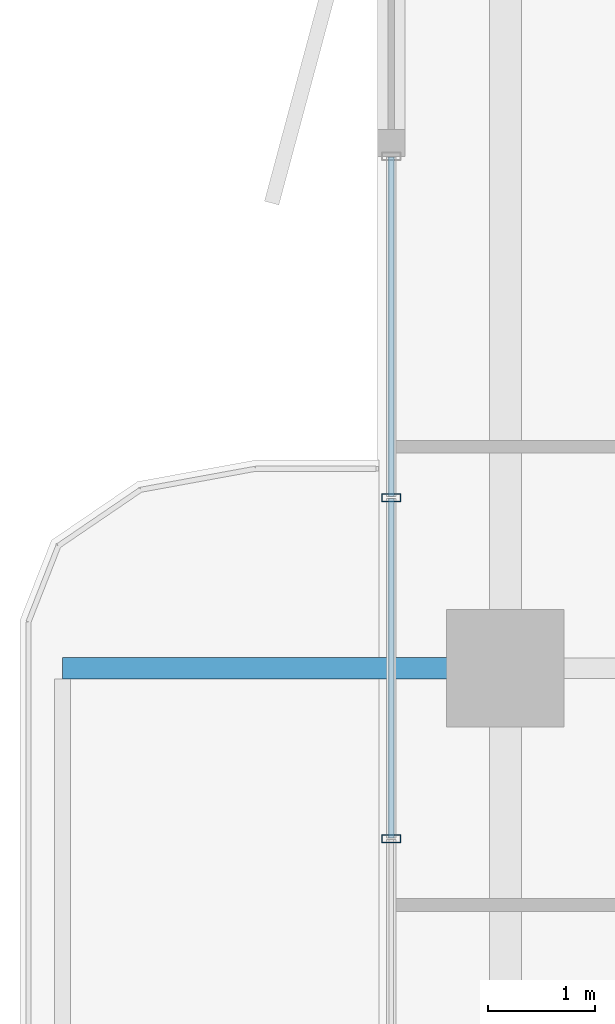
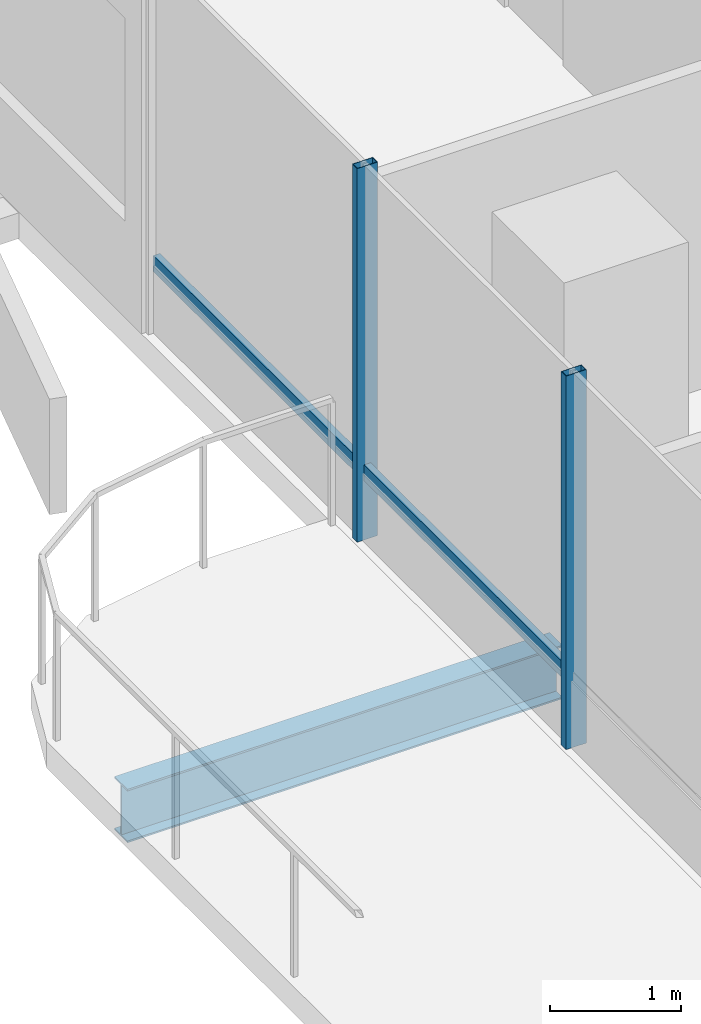
# One storey, part 6 of 25: 4 members, 1 beam, 1 element without a shape of its own.
"""IFC4 building model written with IfcOpenShell, lengths in metres."""

from ifc_helpers import new_model, si_unit, direction, frame, origin, origin_2d, place, context, subcontext, project, spatial, hollow_rectangle, i_section, extrude, material, layer, layer_set, material_profile, profile_set, type_object, element, aggregate, save


model = new_model("IFC4")

# Units and contexts
model_context = context("Model", 3, precision=1e-05, world=origin(), true_north=direction((0.0, 1.0)))
body_context = subcontext(model_context, "Body", "Model", "MODEL_VIEW")
ifc_project = project(units=[si_unit("LENGTHUNIT", "METRE"), si_unit("AREAUNIT", "SQUARE_METRE"), si_unit("VOLUMEUNIT", "CUBIC_METRE"), si_unit("PLANEANGLEUNIT", "RADIAN"), si_unit("MASSUNIT", "GRAM", prefix="KILO")], contexts=[model_context])

# Site, building, storey
site_placement = place(None, origin())
site = spatial("IfcSite", under=ifc_project, at=site_placement, CompositionType="ELEMENT")
building_placement = place(site_placement, origin())
building = spatial("IfcBuilding", under=site, at=building_placement, Name="Belovzor Exchange Tower", CompositionType="ELEMENT")
storey_placement = place(building_placement, frame((0.0, 0.0, 153.300048828125)))
storey = spatial("IfcBuildingStorey", under=building, at=storey_placement, Name="L37", CompositionType="ELEMENT", Elevation=153.300048828125)

# Beam
ifc_material_1 = material(Name="Steel S355", Category="steel")
ifc_material_profile_1 = material_profile(ifc_material_1, i_section(OverallWidth=0.199951171875, OverallDepth=0.5, WebThickness=0.01025390625, FlangeThickness=0.01611328125, at=origin_2d()))
ifc_profile_set_1 = profile_set([ifc_material_profile_1], Name="Steel S355")
beam_type = type_object("IfcBeamType", Name="Planted Balcony Cantilever Beam IPE 500", PredefinedType="BEAM", material=ifc_profile_set_1)
beam_placement = place(storey_placement, frame((5.39697265625, 28.800048828125, -0.505126953125), z_axis=(-1.0, 0.0, 0.0), x_axis=(0.0, -1.0, 0.0)))
element("IfcBeam", 1, at=beam_placement, inside=storey, type_object=beam_type, Name="BC-500 Planted Balcony Cantilever Beam IPE 500", PredefinedType="BEAM", context=body_context, shape_type="SweptSolid", body=[
    extrude(i_section(OverallWidth=0.199951171875, OverallDepth=0.5, WebThickness=0.01025390625, FlangeThickness=0.01611328125, at=origin_2d()), origin(), (0.0, 0.0, 1.0), 3.849853515625),
])

# Curtain wall, members
ifc_material_2 = material(Name="Anodised Aluminium Framing", Category="aluminium")
ifc_layer = layer(ifc_material_2, 0.179931640625)
ifc_layer_set = layer_set([ifc_layer], Name="Anodised Aluminium Framing")
curtain_wall_type = type_object("IfcCurtainWallType", Name="Recessed Loggia Low-Iron Triple-Glazed Curtain Wall", PredefinedType="NOTDEFINED", material=ifc_layer_set)
curtain_wall_placement = place(storey_placement, origin())
curtain_wall = element("IfcCurtainWall", 2, at=curtain_wall_placement, inside=storey, type_object=curtain_wall_type, Name="CW3 Recessed Loggia Low-Iron Triple-Glazed Curtain Wall L37", PredefinedType="NOTDEFINED")
ifc_material_3 = material(Name="Steel S355", Category="steel")
ifc_material_profile_2 = material_profile(ifc_material_3, hollow_rectangle(XDim=0.074951171875, YDim=0.179931640625, WallThickness=0.0048828125, at=origin_2d()))
ifc_profile_set_2 = profile_set([ifc_material_profile_2], Name="Steel S355")
member_type_1 = type_object("IfcMemberType", Name="Thermally Broken Curtain Wall Mullion 180x75", PredefinedType="MULLION", material=ifc_profile_set_2)
member_1_placement = place(storey_placement, frame((4.6298828125, 27.199951171875, 0.0), z_axis=(0.0, 0.0, 1.0), x_axis=(0.0, 1.0, 0.0)))
member_1 = element("IfcMember", 3, at=member_1_placement, type_object=member_type_1, Name="CW-M180 Curtain Wall Mullion 2", PredefinedType="MULLION", context=body_context, shape_type="SweptSolid", body=[
    extrude(hollow_rectangle(XDim=0.074951171875, YDim=0.179931640625, WallThickness=0.0048828125, at=origin_2d()), origin(), (0.0, 0.0, 1.0), 3.494873046875),
])
member_2_placement = place(storey_placement, frame((4.6298828125, 30.39990234375, 0.0), z_axis=(0.0, 0.0, 1.0), x_axis=(0.0, 1.0, 0.0)))
member_2 = element("IfcMember", 4, at=member_2_placement, type_object=member_type_1, Name="CW-M180 Curtain Wall Mullion 3", PredefinedType="MULLION", context=body_context, shape_type="SweptSolid", body=[
    extrude(hollow_rectangle(XDim=0.074951171875, YDim=0.179931640625, WallThickness=0.0048828125, at=origin_2d()), origin(), (0.0, 0.0, 1.0), 3.494873046875),
])
ifc_material_4 = material(Name="Steel S355", Category="steel")
ifc_material_profile_3 = material_profile(ifc_material_4, hollow_rectangle(XDim=0.06005859375, YDim=0.14990234375, WallThickness=0.00390625, at=origin_2d()))
ifc_profile_set_3 = profile_set([ifc_material_profile_3], Name="Steel S355")
member_type_2 = type_object("IfcMemberType", Name="Thermally Broken Curtain Wall Transom 150x60", PredefinedType="USERDEFINED", material=ifc_profile_set_3)
member_3_placement = place(storey_placement, frame((4.6298828125, 27.2080078125, 0.62890625), z_axis=(0.0, 1.0, 0.0), x_axis=(-1.0, 0.0, 0.0)))
member_3 = element("IfcMember", 5, at=member_3_placement, type_object=member_type_2, Name="CW-T150 Curtain Wall Transom 2", ObjectType="TRANSOM", PredefinedType="USERDEFINED", context=body_context, shape_type="SweptSolid", body=[
    extrude(hollow_rectangle(XDim=0.06005859375, YDim=0.14990234375, WallThickness=0.00390625, at=origin_2d()), origin(), (0.0, 0.0, 1.0), 3.18408203125),
])
member_4_placement = place(storey_placement, frame((4.6298828125, 30.407958984375, 0.62890625), z_axis=(0.0, 1.0, 0.0), x_axis=(-1.0, 0.0, 0.0)))
member_4 = element("IfcMember", 6, at=member_4_placement, type_object=member_type_2, Name="CW-T150 Curtain Wall Transom 3", ObjectType="TRANSOM", PredefinedType="USERDEFINED", context=body_context, shape_type="SweptSolid", body=[
    extrude(hollow_rectangle(XDim=0.06005859375, YDim=0.14990234375, WallThickness=0.00390625, at=origin_2d()), origin(), (0.0, 0.0, 1.0), 3.18408203125),
])
aggregate(curtain_wall, [member_1, member_2, member_3, member_4])

save(model, "model.ifc")
